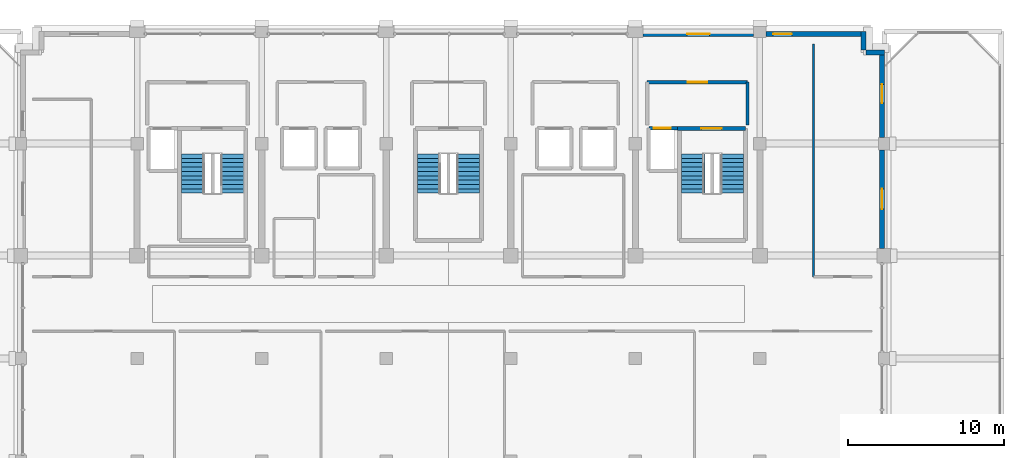
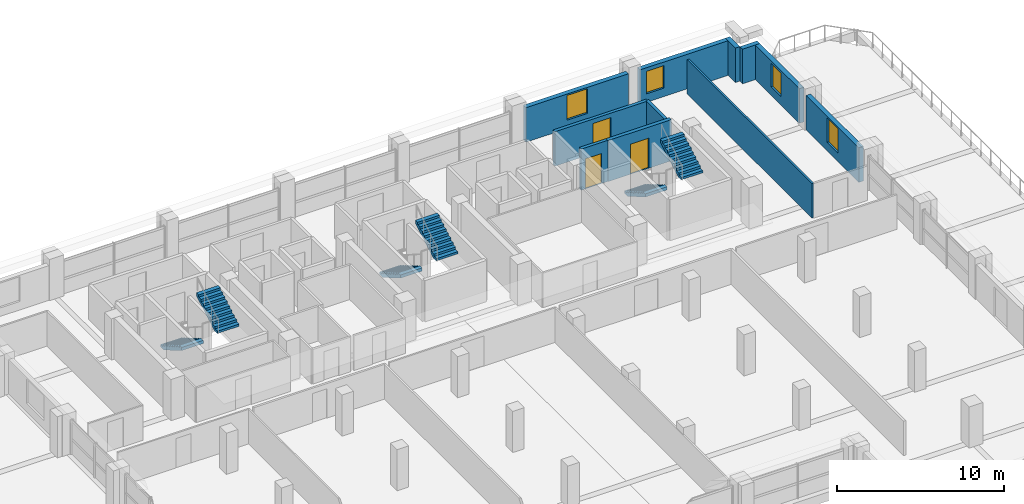
# One storey, part 20 of 22: 11 walls, 6 stair flights, 4 windows, 3 doors, 7 openings, 3 elements without a shape of their own.
"""IFC4 building model written with IfcOpenShell, lengths in metres."""

from ifc_helpers import new_model, si_unit, direction, frame, frame_2d, origin, place, context, subcontext, project, spatial, polyline, rectangle, outline, extrude, material, layer, layer_set, type_object, element, fill, aggregate, save


model = new_model("IFC4")

# Units and contexts
model_context = context("Model", 3, precision=1e-05, world=origin(), true_north=direction((0.0, 1.0)))
body_context = subcontext(model_context, "Body", "Model", "MODEL_VIEW")
ifc_project = project(units=[si_unit("LENGTHUNIT", "METRE"), si_unit("AREAUNIT", "SQUARE_METRE"), si_unit("VOLUMEUNIT", "CUBIC_METRE"), si_unit("PLANEANGLEUNIT", "RADIAN"), si_unit("MASSUNIT", "GRAM", prefix="KILO")], contexts=[model_context])

# Site, building, storey
site_placement = place(None, origin())
site = spatial("IfcSite", under=ifc_project, at=site_placement, CompositionType="ELEMENT")
building_placement = place(site_placement, origin())
building = spatial("IfcBuilding", under=site, at=building_placement, Name="Akrevak Sports Hall", CompositionType="ELEMENT")
storey_placement = place(building_placement, frame((0.0, 0.0, 40.550048828125)))
storey = spatial("IfcBuildingStorey", under=building, at=storey_placement, Name="L09", CompositionType="ELEMENT", Elevation=40.550048828125)

# Wall, opening, window
ifc_material_1 = material(Name="Limestone Ashlar", Category="stone")
ifc_layer_1 = layer(ifc_material_1, 0.070068359375, Name="Limestone Ashlar")
ifc_material_2 = material(Name="Mineral Wool Thermal Insulation", Category="insulation")
ifc_layer_2 = layer(ifc_material_2, 0.090087890625, Name="Mineral Wool Thermal Insulation")
ifc_material_3 = material(Name="Concrete C40/50", Category="concrete")
ifc_layer_3 = layer(ifc_material_3, 0.159912109375, Name="Concrete C40/50")
ifc_layer_set_1 = layer_set([ifc_layer_1, ifc_layer_2, ifc_layer_3], Name="Limestone Ashlar / Mineral Wool Thermal Insulation / Concrete C40/50")
wall_type_1 = type_object("IfcWallType", Name="ARC-WL-EXT-320", PredefinedType="SOLIDWALL", material=ifc_layer_set_1)
wall_1_placement = place(storey_placement, frame((107.840087890625, 55.675048828125, 0.0), z_axis=(0.0, 0.0, 1.0), x_axis=(0.0, 1.0, 0.0)))
wall_1 = element("IfcWall", 1, at=wall_1_placement, inside=storey, type_object=wall_type_1, Name="Tower Stone Facade Wall L09-E15", PredefinedType="SOLIDWALL", context=body_context, shape_type="SweptSolid", body=[
    extrude(rectangle(XDim=6.324951171875, YDim=0.320068359375, at=frame_2d((3.16259765625, 0.0))), origin(), (0.0, 0.0, 1.0), 2.530029296875),
])
opening_1_placement = place(wall_1_placement, frame((2.512451171875, 0.0, 0.6201171875)))
opening_1 = element("IfcOpeningElement", 2, at=opening_1_placement, cuts=wall_1, Name="Opening WN-12", PredefinedType="OPENING", context=body_context, shape_type="SweptSolid", body=[
    extrude(rectangle(XDim=1.300048828125, YDim=1.800048828125, at=frame_2d((0.64990234375, 0.89990234375))), frame((0.0, 0.171875, 0.0), z_axis=(0.0, -1.0, 0.0), x_axis=(1.0, 0.0, 0.0)), (0.0, 0.0, 1.0), 0.343994140625),
])
ifc_material_4 = material(Name="Thermally Broken Bronze Frame & Double Low-E Glass", Category="glass")
window_type_1 = type_object("IfcWindowType", Name="ARC-WIN-TW-130x180", PartitioningType="SINGLE_PANEL", PredefinedType="WINDOW", material=ifc_material_4)
window_1_placement = place(opening_1_placement, origin())
window_1 = element("IfcWindow", 3, at=window_1_placement, inside=storey, type_object=window_type_1, Name="Tower Window L09-E15", OverallHeight=1.800048828125, OverallWidth=1.300048828125, PartitioningType="SINGLE_PANEL", PredefinedType="WINDOW", context=body_context, shape_type="SweptSolid", body=[
    extrude(rectangle(XDim=1.300048828125, YDim=1.800048828125, at=frame_2d((0.64990234375, 0.89990234375))), frame((0.0, 0.030029296875, 0.0), z_axis=(0.0, -1.0, 0.0), x_axis=(1.0, 0.0, 0.0)), (0.0, 0.0, 1.0), 0.06005859375),
])
fill(opening_1, window_1)

wall_2_placement = place(storey_placement, frame((107.840087890625, 62.800048828125, 0.0), z_axis=(0.0, 0.0, 1.0), x_axis=(0.0, 1.0, 0.0)))
wall_2 = element("IfcWall", 4, at=wall_2_placement, inside=storey, type_object=wall_type_1, Name="Tower Stone Facade Wall L09-E16", PredefinedType="SOLIDWALL", context=body_context, shape_type="SweptSolid", body=[
    extrude(rectangle(XDim=5.599853515625, YDim=0.320068359375, at=frame_2d((2.7998046875, 0.0))), origin(), (0.0, 0.0, 1.0), 2.530029296875),
])
opening_2_placement = place(wall_2_placement, frame((2.199951171875, 0.0, 0.6201171875)))
opening_2 = element("IfcOpeningElement", 5, at=opening_2_placement, cuts=wall_2, Name="Opening WN-13", PredefinedType="OPENING", context=body_context, shape_type="SweptSolid", body=[
    extrude(rectangle(XDim=1.199951171875, YDim=1.699951171875, at=frame_2d((0.60009765625, 0.85009765625))), frame((0.0, 0.171875, 0.0), z_axis=(0.0, -1.0, 0.0), x_axis=(1.0, 0.0, 0.0)), (0.0, 0.0, 1.0), 0.343994140625),
])
window_type_2 = type_object("IfcWindowType", Name="ARC-WIN-TW-120x170", PartitioningType="SINGLE_PANEL", PredefinedType="WINDOW", material=ifc_material_4)
window_2_placement = place(opening_2_placement, origin())
window_2 = element("IfcWindow", 6, at=window_2_placement, inside=storey, type_object=window_type_2, Name="Tower Window L09-E16", OverallHeight=1.699951171875, OverallWidth=1.199951171875, PartitioningType="SINGLE_PANEL", PredefinedType="WINDOW", context=body_context, shape_type="SweptSolid", body=[
    extrude(rectangle(XDim=1.199951171875, YDim=1.699951171875, at=frame_2d((0.60009765625, 0.85009765625))), frame((0.0, 0.030029296875, 0.0), z_axis=(0.0, -1.0, 0.0), x_axis=(1.0, 0.0, 0.0)), (0.0, 0.0, 1.0), 0.06005859375),
])
fill(opening_2, window_2)

# Walls
wall_3_placement = place(storey_placement, frame((108.0, 68.239990234375, 0.0), z_axis=(0.0, 0.0, 1.0), x_axis=(-1.0, 0.0, 0.0)))
element("IfcWall", 7, at=wall_3_placement, inside=storey, type_object=wall_type_1, Name="Tower Stone Facade Wall L09-N17", PredefinedType="SOLIDWALL", context=body_context, shape_type="SweptSolid", body=[
    extrude(rectangle(XDim=1.199951171875, YDim=0.320068359375, at=frame_2d((0.60009765625, 0.0))), origin(), (0.0, 0.0, 1.0), 2.530029296875),
])
wall_4_placement = place(storey_placement, frame((106.639892578125, 68.39990234375, 0.0), z_axis=(0.0, 0.0, 1.0), x_axis=(0.0, 1.0, 0.0)))
element("IfcWall", 8, at=wall_4_placement, inside=storey, type_object=wall_type_1, Name="Tower Stone Facade Wall L09-E18", PredefinedType="SOLIDWALL", context=body_context, shape_type="SweptSolid", body=[
    extrude(rectangle(XDim=1.2001953125, YDim=0.320068359375, at=frame_2d((0.60009765625, 0.0))), origin(), (0.0, 0.0, 1.0), 2.530029296875),
])

# Wall, opening, window
wall_5_placement = place(storey_placement, frame((106.800048828125, 69.43994140625, 0.0), z_axis=(0.0, 0.0, 1.0), x_axis=(-1.0, 0.0, 0.0)))
wall_5 = element("IfcWall", 9, at=wall_5_placement, inside=storey, type_object=wall_type_1, Name="Tower Stone Facade Wall L09-N19", PredefinedType="SOLIDWALL", context=body_context, shape_type="SweptSolid", body=[
    extrude(rectangle(XDim=6.400146484375, YDim=0.320068359375, at=frame_2d((3.2001953125, 0.0))), origin(), (0.0, 0.0, 1.0), 2.530029296875),
])
opening_3_placement = place(wall_5_placement, frame((4.75, 0.0, 0.6201171875)))
opening_3 = element("IfcOpeningElement", 10, at=opening_3_placement, cuts=wall_5, Name="Opening WN-45", PredefinedType="OPENING", context=body_context, shape_type="SweptSolid", body=[
    extrude(rectangle(XDim=1.199951171875, YDim=1.64990234375, at=frame_2d((0.60009765625, 0.824951171875))), frame((0.0, 0.171875, 0.0), z_axis=(0.0, -1.0, 0.0), x_axis=(1.0, 0.0, 0.0)), (0.0, 0.0, 1.0), 0.343994140625),
])
window_type_3 = type_object("IfcWindowType", Name="ARC-WIN-SZ-1200x1650", PartitioningType="SINGLE_PANEL", PredefinedType="WINDOW", material=ifc_material_4)
window_3_placement = place(opening_3_placement, origin())
window_3 = element("IfcWindow", 11, at=window_3_placement, inside=storey, type_object=window_type_3, Name="Tower Window L09-N19", OverallHeight=1.64990234375, OverallWidth=1.199951171875, PartitioningType="SINGLE_PANEL", PredefinedType="WINDOW", context=body_context, shape_type="SweptSolid", body=[
    extrude(rectangle(XDim=1.199951171875, YDim=1.64990234375, at=frame_2d((0.60009765625, 0.824951171875))), frame((0.0, 0.030029296875, 0.0), z_axis=(0.0, -1.0, 0.0), x_axis=(1.0, 0.0, 0.0)), (0.0, 0.0, 1.0), 0.06005859375),
])
fill(opening_3, window_3)

wall_6_placement = place(storey_placement, frame((99.60009765625, 69.43994140625, 0.0), z_axis=(0.0, 0.0, 1.0), x_axis=(-1.0, 0.0, 0.0)))
wall_6 = element("IfcWall", 12, at=wall_6_placement, inside=storey, type_object=wall_type_1, Name="Tower Stone Facade Wall L09-N20", PredefinedType="SOLIDWALL", context=body_context, shape_type="SweptSolid", body=[
    extrude(rectangle(XDim=7.10009765625, YDim=0.320068359375, at=frame_2d((3.550048828125, 0.0))), origin(), (0.0, 0.0, 1.0), 2.530029296875),
])
opening_4_placement = place(wall_6_placement, frame((2.824951171875, 0.0, 0.6201171875)))
opening_4 = element("IfcOpeningElement", 13, at=opening_4_placement, cuts=wall_6, Name="Opening WN-51", PredefinedType="OPENING", context=body_context, shape_type="SweptSolid", body=[
    extrude(rectangle(XDim=1.449951171875, YDim=1.81005859375, at=frame_2d((0.72509765625, 0.905029296875))), frame((0.0, 0.171875, 0.0), z_axis=(0.0, -1.0, 0.0), x_axis=(1.0, 0.0, 0.0)), (0.0, 0.0, 1.0), 0.343994140625),
])
window_type_4 = type_object("IfcWindowType", Name="ARC-WIN-SZ-1450x1810", PartitioningType="SINGLE_PANEL", PredefinedType="WINDOW", material=ifc_material_4)
window_4_placement = place(opening_4_placement, origin())
window_4 = element("IfcWindow", 14, at=window_4_placement, inside=storey, type_object=window_type_4, Name="Tower Window L09-N20", OverallHeight=1.81005859375, OverallWidth=1.449951171875, PartitioningType="SINGLE_PANEL", PredefinedType="WINDOW", context=body_context, shape_type="SweptSolid", body=[
    extrude(rectangle(XDim=1.449951171875, YDim=1.81005859375, at=frame_2d((0.72509765625, 0.905029296875))), frame((0.0, 0.030029296875, 0.0), z_axis=(0.0, -1.0, 0.0), x_axis=(1.0, 0.0, 0.0)), (0.0, 0.0, 1.0), 0.06005859375),
])
fill(opening_4, window_4)

# Wall
ifc_material_5 = material(Name="Acoustic Metal Stud Partition", Category="gypsum")
ifc_layer_4 = layer(ifc_material_5, 0.1298828125, Name="Acoustic Metal Stud Partition")
ifc_layer_set_2 = layer_set([ifc_layer_4], Name="Acoustic Metal Stud Partition")
wall_type_2 = type_object("IfcWallType", Name="ARC-WL-PRT-130", PredefinedType="PARTITIONING", material=ifc_layer_set_2)
wall_7_placement = place(storey_placement, frame((103.449951171875, 53.85009765625, 0.0), z_axis=(0.0, 0.0, 1.0), x_axis=(0.0, 1.0, 0.0)))
element("IfcWall", 15, at=wall_7_placement, inside=storey, type_object=wall_type_2, Name="Interior Partition Federation Research Office L09-E1 (W)", PredefinedType="PARTITIONING", context=body_context, shape_type="SweptSolid", body=[
    extrude(rectangle(XDim=14.949951171875, YDim=0.1298828125, at=frame_2d((7.47509765625, 0.0))), origin(), (0.0, 0.0, 1.0), 2.530029296875),
])

# Wall, opening, door
ifc_layer_5 = layer(ifc_material_3, 0.219970703125, Name="Concrete C40/50")
ifc_layer_set_3 = layer_set([ifc_layer_5], Name="Concrete C40/50")
wall_type_3 = type_object("IfcWallType", Name="ARC-WL-PRT-220", PredefinedType="PARTITIONING", material=ifc_layer_set_3)
wall_8_placement = place(storey_placement, frame((92.75, 66.35009765625, 0.0), z_axis=(0.0, 0.0, 1.0), x_axis=(1.0, 0.0, 0.0)))
wall_8 = element("IfcWall", 16, at=wall_8_placement, inside=storey, type_object=wall_type_3, Name="Interior Partition Firefighting Lobby East L09 (N)", PredefinedType="PARTITIONING", context=body_context, shape_type="SweptSolid", body=[
    extrude(rectangle(XDim=6.449951171875, YDim=0.219970703125, at=frame_2d((3.22509765625, 0.0))), origin(), (0.0, 0.0, 1.0), 2.530029296875),
])
opening_5_placement = place(wall_8_placement, frame((2.625, 0.0, 0.0)))
opening_5 = element("IfcOpeningElement", 17, at=opening_5_placement, cuts=wall_8, Name="Opening FD-01", PredefinedType="OPENING", context=body_context, shape_type="SweptSolid", body=[
    extrude(rectangle(XDim=1.25, YDim=2.199951171875, at=frame_2d((0.625, 1.10009765625))), frame((0.0, 0.1220703125, 0.0), z_axis=(0.0, -1.0, 0.0), x_axis=(1.0, 0.0, 0.0)), (0.0, 0.0, 1.0), 0.243896484375),
])
ifc_material_6 = material(Name="Fire-Rated Galvanized Door Steel", Category="steel")
door_type_1 = type_object("IfcDoorType", Name="ARC-DR-FFL-125x220", OperationType="NOTDEFINED", PredefinedType="DOOR", material=ifc_material_6)
door_1_placement = place(opening_5_placement, frame((1.25, 0.0, 0.0), z_axis=(0.0, 0.0, 1.0), x_axis=(-1.0, 0.0, 0.0)))
door_1 = element("IfcDoor", 18, at=door_1_placement, inside=storey, type_object=door_type_1, Name="Door to Firefighting Lobby East L09", OperationType="SINGLE_SWING_LEFT", OverallHeight=2.199951171875, OverallWidth=1.25, PredefinedType="DOOR", context=body_context, shape_type="SweptSolid", body=[
    extrude(rectangle(XDim=1.25, YDim=2.199951171875, at=frame_2d((0.625, 1.10009765625))), frame((0.0, 0.02490234375, 0.0), z_axis=(0.0, -1.0, 0.0), x_axis=(1.0, 0.0, 0.0)), (0.0, 0.0, 1.0), 0.050048828125),
])
fill(opening_5, door_1)

# Wall
wall_9_placement = place(storey_placement, frame((99.199951171875, 63.60009765625, 0.0), z_axis=(0.0, 0.0, 1.0), x_axis=(0.0, 1.0, 0.0)))
element("IfcWall", 19, at=wall_9_placement, inside=storey, type_object=wall_type_3, Name="Interior Partition Firefighting Lobby East L09 (E)", PredefinedType="PARTITIONING", context=body_context, shape_type="SweptSolid", body=[
    extrude(rectangle(XDim=2.75, YDim=0.219970703125, at=frame_2d((1.375, 0.0))), origin(), (0.0, 0.0, 1.0), 2.530029296875),
])

# Wall, opening, door
ifc_material_7 = material(Name="Concrete C50/60", Category="concrete")
ifc_layer_6 = layer(ifc_material_7, 0.219970703125, Name="Concrete C50/60")
ifc_layer_set_4 = layer_set([ifc_layer_6], Name="Concrete C50/60")
wall_type_4 = type_object("IfcWallType", Name="ARC-WL-SHAFT-220", PredefinedType="SHEAR", material=ifc_layer_set_4)
wall_10_placement = place(storey_placement, frame((94.699951171875, 63.389892578125, 0.0), z_axis=(0.0, 0.0, 1.0), x_axis=(-1.0, 0.0, 0.0)))
wall_10 = element("IfcWall", 20, at=wall_10_placement, inside=storey, type_object=wall_type_4, Name="Lift Shaft LF-FF2 Wall N (L09)", PredefinedType="SHEAR", context=body_context, shape_type="SweptSolid", body=[
    extrude(rectangle(XDim=1.83984375, YDim=0.219970703125, at=frame_2d((0.919921875, 0.0))), origin(), (0.0, 0.0, 1.0), 3.010009765625),
])
opening_6_placement = place(wall_10_placement, frame((0.425048828125, 0.0, 0.0)))
opening_6 = element("IfcOpeningElement", 21, at=opening_6_placement, cuts=wall_10, Name="Opening LD-01", PredefinedType="OPENING", context=body_context, shape_type="SweptSolid", body=[
    extrude(rectangle(XDim=1.10009765625, YDim=2.199951171875, at=frame_2d((0.550048828125, 1.10009765625))), frame((0.0, 0.1220703125, 0.0), z_axis=(0.0, -1.0, 0.0), x_axis=(1.0, 0.0, 0.0)), (0.0, 0.0, 1.0), 0.243896484375),
])
ifc_material_8 = material(Name="Brushed Stainless Steel 304", Category="steel")
door_type_2 = type_object("IfcDoorType", Name="ARC-DR-LD-110x220", OperationType="SLIDING_TO_LEFT", PredefinedType="DOOR", material=ifc_material_8)
door_2_placement = place(opening_6_placement, origin())
door_2 = element("IfcDoor", 22, at=door_2_placement, inside=storey, type_object=door_type_2, Name="Lift LF-FF2 Sliding Landing Door (L09)", OperationType="SLIDING_TO_RIGHT", OverallHeight=2.199951171875, OverallWidth=1.10009765625, PredefinedType="DOOR", context=body_context, shape_type="SweptSolid", body=[
    extrude(rectangle(XDim=1.10009765625, YDim=2.199951171875, at=frame_2d((0.550048828125, 1.10009765625))), frame((0.0, 0.02490234375, 0.0), z_axis=(0.0, -1.0, 0.0), x_axis=(1.0, 0.0, 0.0)), (0.0, 0.0, 1.0), 0.050048828125),
])
fill(opening_6, door_2)

ifc_layer_7 = layer(ifc_material_7, 0.25, Name="Concrete C50/60")
ifc_layer_set_5 = layer_set([ifc_layer_7], Name="Concrete C50/60")
wall_type_5 = type_object("IfcWallType", Name="STR-WL-STAIR-250", PredefinedType="SHEAR", material=ifc_layer_set_5)
wall_11_placement = place(storey_placement, frame((99.074951171875, 63.375, 0.0), z_axis=(0.0, 0.0, 1.0), x_axis=(-1.0, 0.0, 0.0)))
wall_11 = element("IfcWall", 23, at=wall_11_placement, inside=storey, type_object=wall_type_5, Name="Stair Core ST2 Shear Wall N (L09)", PredefinedType="SHEAR", context=body_context, shape_type="SweptSolid", body=[
    extrude(rectangle(XDim=4.375, YDim=0.25, at=frame_2d((2.1875, 0.0))), origin(), (0.0, 0.0, 1.0), 3.010009765625),
])
opening_7_placement = place(wall_11_placement, frame((1.53759765625, 0.0, 0.0)))
opening_7 = element("IfcOpeningElement", 24, at=opening_7_placement, cuts=wall_11, Name="Opening SD-01", PredefinedType="OPENING", context=body_context, shape_type="SweptSolid", body=[
    extrude(rectangle(XDim=1.300048828125, YDim=2.199951171875, at=frame_2d((0.64990234375, 1.10009765625))), frame((0.0, 0.136962890625, 0.0), z_axis=(0.0, -1.0, 0.0), x_axis=(1.0, 0.0, 0.0)), (0.0, 0.0, 1.0), 0.27392578125),
])
door_type_3 = type_object("IfcDoorType", Name="ARC-DR-STAIR-130x220", OperationType="NOTDEFINED", PredefinedType="DOOR", material=ifc_material_6)
door_3_placement = place(opening_7_placement, origin())
door_3 = element("IfcDoor", 25, at=door_3_placement, inside=storey, type_object=door_type_3, Name="Exit Stair ST2 Door (L09)", OperationType="SINGLE_SWING_RIGHT", OverallHeight=2.199951171875, OverallWidth=1.300048828125, PredefinedType="DOOR", context=body_context, shape_type="SweptSolid", body=[
    extrude(rectangle(XDim=1.300048828125, YDim=2.199951171875, at=frame_2d((0.64990234375, 1.10009765625))), frame((0.0, 0.02490234375, 0.0), z_axis=(0.0, -1.0, 0.0), x_axis=(1.0, 0.0, 0.0)), (0.0, 0.0, 1.0), 0.050048828125),
])
fill(opening_7, door_3)

# Stair, stair flights
stair_type = type_object("IfcStairType", Name="ARC-STR-DOG-325", PredefinedType="HALF_TURN_STAIR", material=ifc_material_3)
stair_1_placement = place(storey_placement, origin())
stair_1 = element("IfcStair", 26, at=stair_1_placement, inside=storey, type_object=stair_type, Name="Protected Exit Stair ST1 (L09 to L10)", PredefinedType="HALF_TURN_STAIR")
stair_flight_type = type_object("IfcStairFlightType", Name="ARC-FLT-165-163", PredefinedType="STRAIGHT", material=ifc_material_3)
stair_flight_1_placement = place(storey_placement, frame((63.610107421875, 61.735107421875, 0.0), z_axis=(0.0, 0.0, 1.0), x_axis=(0.0, -1.0, 0.0)))
stair_flight_1 = element("IfcStairFlight", 27, at=stair_flight_1_placement, type_object=stair_flight_type, Name="Stair ST1 Flight 1 (L09)", NumberOfRisers=10, NumberOfTreads=9, PredefinedType="STRAIGHT", RiserHeight=0.1625, TreadLength=0.28, context=body_context, shape_type="SweptSolid", body=[
    extrude(outline(polyline([(0.0, 0.0), (0.0, 0.16259765625), (0.280029296875, 0.16259765625), (0.280029296875, 0.324951171875), (0.56005859375, 0.324951171875), (0.56005859375, 0.487548828125), (0.840087890625, 0.487548828125), (0.840087890625, 0.64990234375), (1.1201171875, 0.64990234375), (1.1201171875, 0.8125), (1.39990234375, 0.8125), (1.39990234375, 0.97509765625), (1.679931640625, 0.97509765625), (1.679931640625, 1.137451171875), (1.9599609375, 1.137451171875), (1.9599609375, 1.300048828125), (2.239990234375, 1.300048828125), (2.239990234375, 1.46240234375), (2.52001953125, 1.46240234375), (2.52001953125, 1.625), (2.52001953125, 1.231201171875), (0.3984375, 0.0), (0.0, 0.0)])), frame((0.0, 0.75, 0.0), z_axis=(0.0, -1.0, 0.0), x_axis=(1.0, 0.0, 0.0)), (0.0, 0.0, 1.0), 1.5),
])
stair_flight_2_placement = place(storey_placement, frame((66.090087890625, 59.215087890625, 1.625), z_axis=(0.0, 0.0, 1.0), x_axis=(0.0, 1.0, 0.0)))
stair_flight_2 = element("IfcStairFlight", 28, at=stair_flight_2_placement, type_object=stair_flight_type, Name="Stair ST1 Flight 2 (L09)", NumberOfRisers=10, NumberOfTreads=9, PredefinedType="STRAIGHT", RiserHeight=0.1625, TreadLength=0.28, context=body_context, shape_type="SweptSolid", body=[
    extrude(outline(polyline([(0.0, 0.0), (0.0, 0.16259765625), (0.280029296875, 0.16259765625), (0.280029296875, 0.324951171875), (0.56005859375, 0.324951171875), (0.56005859375, 0.487548828125), (0.840087890625, 0.487548828125), (0.840087890625, 0.64990234375), (1.1201171875, 0.64990234375), (1.1201171875, 0.8125), (1.39990234375, 0.8125), (1.39990234375, 0.97509765625), (1.679931640625, 0.97509765625), (1.679931640625, 1.137451171875), (1.9599609375, 1.137451171875), (1.9599609375, 1.300048828125), (2.239990234375, 1.300048828125), (2.239990234375, 1.46240234375), (2.52001953125, 1.46240234375), (2.52001953125, 1.625), (2.52001953125, 1.231201171875), (0.3984375, 0.0), (0.0, 0.0)])), frame((0.0, 0.75, 0.0), z_axis=(0.0, -1.0, 0.0), x_axis=(1.0, 0.0, 0.0)), (0.0, 0.0, 1.0), 1.5),
])
aggregate(stair_1, [stair_flight_1, stair_flight_2])

stair_2_placement = place(storey_placement, origin())
stair_2 = element("IfcStair", 29, at=stair_2_placement, inside=storey, type_object=stair_type, Name="Protected Exit Stair ST2 (L09 to L10)", PredefinedType="HALF_TURN_STAIR")
stair_flight_3_placement = place(storey_placement, frame((95.7099609375, 61.735107421875, 0.0), z_axis=(0.0, 0.0, 1.0), x_axis=(0.0, -1.0, 0.0)))
stair_flight_3 = element("IfcStairFlight", 30, at=stair_flight_3_placement, type_object=stair_flight_type, Name="Stair ST2 Flight 1 (L09)", NumberOfRisers=10, NumberOfTreads=9, PredefinedType="STRAIGHT", RiserHeight=0.1625, TreadLength=0.28, context=body_context, shape_type="SweptSolid", body=[
    extrude(outline(polyline([(0.0, 0.0), (0.0, 0.16259765625), (0.280029296875, 0.16259765625), (0.280029296875, 0.324951171875), (0.56005859375, 0.324951171875), (0.56005859375, 0.487548828125), (0.840087890625, 0.487548828125), (0.840087890625, 0.64990234375), (1.1201171875, 0.64990234375), (1.1201171875, 0.8125), (1.39990234375, 0.8125), (1.39990234375, 0.97509765625), (1.679931640625, 0.97509765625), (1.679931640625, 1.137451171875), (1.9599609375, 1.137451171875), (1.9599609375, 1.300048828125), (2.239990234375, 1.300048828125), (2.239990234375, 1.46240234375), (2.52001953125, 1.46240234375), (2.52001953125, 1.625), (2.52001953125, 1.231201171875), (0.3984375, 0.0), (0.0, 0.0)])), frame((0.0, 0.75, 0.0), z_axis=(0.0, -1.0, 0.0), x_axis=(1.0, 0.0, 0.0)), (0.0, 0.0, 1.0), 1.5),
])
stair_flight_4_placement = place(storey_placement, frame((98.18994140625, 59.215087890625, 1.625), z_axis=(0.0, 0.0, 1.0), x_axis=(0.0, 1.0, 0.0)))
stair_flight_4 = element("IfcStairFlight", 31, at=stair_flight_4_placement, type_object=stair_flight_type, Name="Stair ST2 Flight 2 (L09)", NumberOfRisers=10, NumberOfTreads=9, PredefinedType="STRAIGHT", RiserHeight=0.1625, TreadLength=0.28, context=body_context, shape_type="SweptSolid", body=[
    extrude(outline(polyline([(0.0, 0.0), (0.0, 0.16259765625), (0.280029296875, 0.16259765625), (0.280029296875, 0.324951171875), (0.56005859375, 0.324951171875), (0.56005859375, 0.487548828125), (0.840087890625, 0.487548828125), (0.840087890625, 0.64990234375), (1.1201171875, 0.64990234375), (1.1201171875, 0.8125), (1.39990234375, 0.8125), (1.39990234375, 0.97509765625), (1.679931640625, 0.97509765625), (1.679931640625, 1.137451171875), (1.9599609375, 1.137451171875), (1.9599609375, 1.300048828125), (2.239990234375, 1.300048828125), (2.239990234375, 1.46240234375), (2.52001953125, 1.46240234375), (2.52001953125, 1.625), (2.52001953125, 1.231201171875), (0.3984375, 0.0), (0.0, 0.0)])), frame((0.0, 0.75, 0.0), z_axis=(0.0, -1.0, 0.0), x_axis=(1.0, 0.0, 0.0)), (0.0, 0.0, 1.0), 1.5),
])
aggregate(stair_2, [stair_flight_3, stair_flight_4])

stair_3_placement = place(storey_placement, origin())
stair_3 = element("IfcStair", 32, at=stair_3_placement, inside=storey, type_object=stair_type, Name="Protected Exit Stair ST3 (L09 to L10)", PredefinedType="HALF_TURN_STAIR")
stair_flight_5_placement = place(storey_placement, frame((78.760009765625, 61.735107421875, 0.0), z_axis=(0.0, 0.0, 1.0), x_axis=(0.0, -1.0, 0.0)))
stair_flight_5 = element("IfcStairFlight", 33, at=stair_flight_5_placement, type_object=stair_flight_type, Name="Stair ST3 Flight 1 (L09)", NumberOfRisers=10, NumberOfTreads=9, PredefinedType="STRAIGHT", RiserHeight=0.1625, TreadLength=0.28, context=body_context, shape_type="SweptSolid", body=[
    extrude(outline(polyline([(0.0, 0.0), (0.0, 0.16259765625), (0.280029296875, 0.16259765625), (0.280029296875, 0.324951171875), (0.56005859375, 0.324951171875), (0.56005859375, 0.487548828125), (0.840087890625, 0.487548828125), (0.840087890625, 0.64990234375), (1.1201171875, 0.64990234375), (1.1201171875, 0.8125), (1.39990234375, 0.8125), (1.39990234375, 0.97509765625), (1.679931640625, 0.97509765625), (1.679931640625, 1.137451171875), (1.9599609375, 1.137451171875), (1.9599609375, 1.300048828125), (2.239990234375, 1.300048828125), (2.239990234375, 1.46240234375), (2.52001953125, 1.46240234375), (2.52001953125, 1.625), (2.52001953125, 1.231201171875), (0.3984375, 0.0), (0.0, 0.0)])), frame((0.0, 0.75, 0.0), z_axis=(0.0, -1.0, 0.0), x_axis=(1.0, 0.0, 0.0)), (0.0, 0.0, 1.0), 1.5),
])
stair_flight_6_placement = place(storey_placement, frame((81.239990234375, 59.215087890625, 1.625), z_axis=(0.0, 0.0, 1.0), x_axis=(0.0, 1.0, 0.0)))
stair_flight_6 = element("IfcStairFlight", 34, at=stair_flight_6_placement, type_object=stair_flight_type, Name="Stair ST3 Flight 2 (L09)", NumberOfRisers=10, NumberOfTreads=9, PredefinedType="STRAIGHT", RiserHeight=0.1625, TreadLength=0.28, context=body_context, shape_type="SweptSolid", body=[
    extrude(outline(polyline([(0.0, 0.0), (0.0, 0.16259765625), (0.280029296875, 0.16259765625), (0.280029296875, 0.324951171875), (0.56005859375, 0.324951171875), (0.56005859375, 0.487548828125), (0.840087890625, 0.487548828125), (0.840087890625, 0.64990234375), (1.1201171875, 0.64990234375), (1.1201171875, 0.8125), (1.39990234375, 0.8125), (1.39990234375, 0.97509765625), (1.679931640625, 0.97509765625), (1.679931640625, 1.137451171875), (1.9599609375, 1.137451171875), (1.9599609375, 1.300048828125), (2.239990234375, 1.300048828125), (2.239990234375, 1.46240234375), (2.52001953125, 1.46240234375), (2.52001953125, 1.625), (2.52001953125, 1.231201171875), (0.3984375, 0.0), (0.0, 0.0)])), frame((0.0, 0.75, 0.0), z_axis=(0.0, -1.0, 0.0), x_axis=(1.0, 0.0, 0.0)), (0.0, 0.0, 1.0), 1.5),
])
aggregate(stair_3, [stair_flight_5, stair_flight_6])

save(model, "model.ifc")
